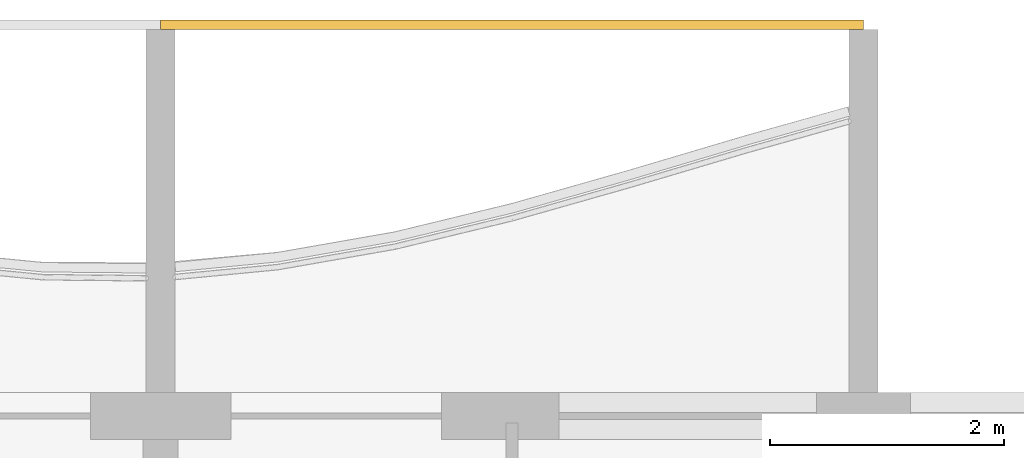
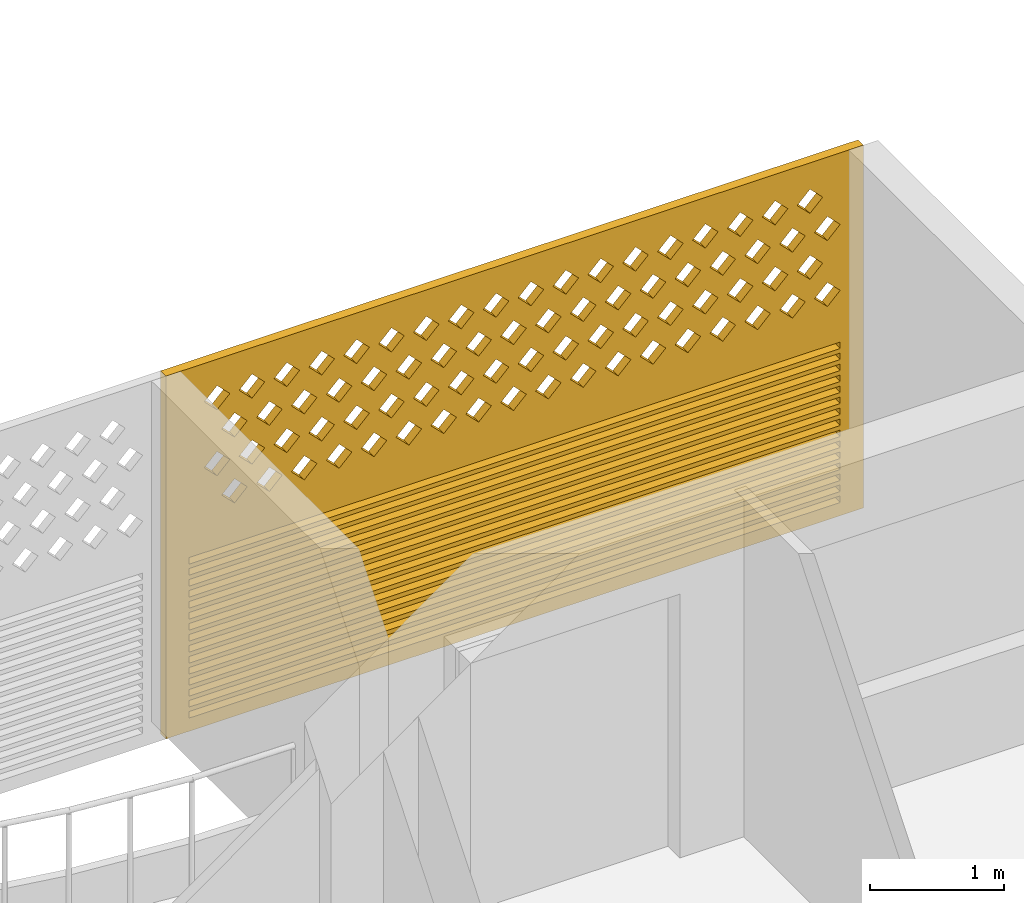
# One storey, part 30 of 32: 1 covering.
"""IFC4 building model written with IfcOpenShell, lengths in metres."""

from ifc_helpers import new_model, si_unit, direction, frame, origin, place, context, subcontext, project, spatial, polyline, outline, extrude, source, transform, mapped, material, material_profile, profile_set, type_object, element, save


model = new_model("IFC4")

# Units and contexts
model_context = context("Model", 3, precision=1e-05, world=origin(), true_north=direction((0.0, 1.0)))
body_context = subcontext(model_context, "Body", "Model", "MODEL_VIEW")
ifc_project = project(units=[si_unit("LENGTHUNIT", "METRE"), si_unit("AREAUNIT", "SQUARE_METRE"), si_unit("VOLUMEUNIT", "CUBIC_METRE"), si_unit("PLANEANGLEUNIT", "RADIAN"), si_unit("MASSUNIT", "GRAM", prefix="KILO")], contexts=[model_context])

# Site, building, storey
site_placement = place(None, origin())
site = spatial("IfcSite", under=ifc_project, at=site_placement, CompositionType="ELEMENT")
building_placement = place(site_placement, origin())
building = spatial("IfcBuilding", under=site, at=building_placement, Name="Poui Terraces", CompositionType="ELEMENT")
storey_placement = place(building_placement, frame((0.0, 0.0, 129.0)))
storey = spatial("IfcBuildingStorey", under=building, at=storey_placement, Name="L35", CompositionType="ELEMENT", Elevation=129.0)

# Covering
ifc_material = material(Name="Terracotta screen", Category="masonry")
ifc_material_profile = material_profile(ifc_material, outline(polyline([(-3.0, -1.64990234375), (3.0, -1.64990234375), (3.0, 1.64990234375), (-3.0, 1.64990234375), (-3.0, -1.64990234375)]), holes=[polyline([(-2.800048828125, 0.39990234375), (-2.68994140625, 0.2900390625), (-2.580078125, 0.39990234375), (-2.68994140625, 0.510009765625), (-2.800048828125, 0.39990234375)]), polyline([(-2.5, 0.39990234375), (-2.389892578125, 0.2900390625), (-2.280029296875, 0.39990234375), (-2.389892578125, 0.510009765625), (-2.5, 0.39990234375)]), polyline([(-2.199951171875, 0.39990234375), (-2.090087890625, 0.2900390625), (-1.97998046875, 0.39990234375), (-2.090087890625, 0.510009765625), (-2.199951171875, 0.39990234375)]), polyline([(-1.89990234375, 0.39990234375), (-1.7900390625, 0.2900390625), (-1.679931640625, 0.39990234375), (-1.7900390625, 0.510009765625), (-1.89990234375, 0.39990234375)]), polyline([(-1.60009765625, 0.39990234375), (-1.489990234375, 0.2900390625), (-1.3798828125, 0.39990234375), (-1.489990234375, 0.510009765625), (-1.60009765625, 0.39990234375)]), polyline([(-1.300048828125, 0.39990234375), (-1.18994140625, 0.2900390625), (-1.080078125, 0.39990234375), (-1.18994140625, 0.510009765625), (-1.300048828125, 0.39990234375)]), polyline([(-1.0, 0.39990234375), (-0.889892578125, 0.2900390625), (-0.780029296875, 0.39990234375), (-0.889892578125, 0.510009765625), (-1.0, 0.39990234375)]), polyline([(-0.699951171875, 0.39990234375), (-0.590087890625, 0.2900390625), (-0.47998046875, 0.39990234375), (-0.590087890625, 0.510009765625), (-0.699951171875, 0.39990234375)]), polyline([(-0.39990234375, 0.39990234375), (-0.2900390625, 0.2900390625), (-0.179931640625, 0.39990234375), (-0.2900390625, 0.510009765625), (-0.39990234375, 0.39990234375)]), polyline([(-0.10009765625, 0.39990234375), (0.010009765625, 0.2900390625), (0.1201171875, 0.39990234375), (0.010009765625, 0.510009765625), (-0.10009765625, 0.39990234375)]), polyline([(0.199951171875, 0.39990234375), (0.31005859375, 0.2900390625), (0.419921875, 0.39990234375), (0.31005859375, 0.510009765625), (0.199951171875, 0.39990234375)]), polyline([(0.5, 0.39990234375), (0.610107421875, 0.2900390625), (0.719970703125, 0.39990234375), (0.610107421875, 0.510009765625), (0.5, 0.39990234375)]), polyline([(0.800048828125, 0.39990234375), (0.909912109375, 0.2900390625), (1.02001953125, 0.39990234375), (0.909912109375, 0.510009765625), (0.800048828125, 0.39990234375)]), polyline([(1.10009765625, 0.39990234375), (1.2099609375, 0.2900390625), (1.320068359375, 0.39990234375), (1.2099609375, 0.510009765625), (1.10009765625, 0.39990234375)]), polyline([(1.39990234375, 0.39990234375), (1.510009765625, 0.2900390625), (1.6201171875, 0.39990234375), (1.510009765625, 0.510009765625), (1.39990234375, 0.39990234375)]), polyline([(1.699951171875, 0.39990234375), (1.81005859375, 0.2900390625), (1.919921875, 0.39990234375), (1.81005859375, 0.510009765625), (1.699951171875, 0.39990234375)]), polyline([(2.0, 0.39990234375), (2.110107421875, 0.2900390625), (2.219970703125, 0.39990234375), (2.110107421875, 0.510009765625), (2.0, 0.39990234375)]), polyline([(2.300048828125, 0.39990234375), (2.409912109375, 0.2900390625), (2.52001953125, 0.39990234375), (2.409912109375, 0.510009765625), (2.300048828125, 0.39990234375)]), polyline([(-2.64990234375, 0.699951171875), (-2.5400390625, 0.590087890625), (-2.429931640625, 0.699951171875), (-2.5400390625, 0.81005859375), (-2.64990234375, 0.699951171875)]), polyline([(-2.35009765625, 0.699951171875), (-2.239990234375, 0.590087890625), (-2.1298828125, 0.699951171875), (-2.239990234375, 0.81005859375), (-2.35009765625, 0.699951171875)]), polyline([(-2.050048828125, 0.699951171875), (-1.93994140625, 0.590087890625), (-1.830078125, 0.699951171875), (-1.93994140625, 0.81005859375), (-2.050048828125, 0.699951171875)]), polyline([(-1.75, 0.699951171875), (-1.639892578125, 0.590087890625), (-1.530029296875, 0.699951171875), (-1.639892578125, 0.81005859375), (-1.75, 0.699951171875)]), polyline([(-1.449951171875, 0.699951171875), (-1.340087890625, 0.590087890625), (-1.22998046875, 0.699951171875), (-1.340087890625, 0.81005859375), (-1.449951171875, 0.699951171875)]), polyline([(-1.14990234375, 0.699951171875), (-1.0400390625, 0.590087890625), (-0.929931640625, 0.699951171875), (-1.0400390625, 0.81005859375), (-1.14990234375, 0.699951171875)]), polyline([(-0.85009765625, 0.699951171875), (-0.739990234375, 0.590087890625), (-0.6298828125, 0.699951171875), (-0.739990234375, 0.81005859375), (-0.85009765625, 0.699951171875)]), polyline([(-0.550048828125, 0.699951171875), (-0.43994140625, 0.590087890625), (-0.330078125, 0.699951171875), (-0.43994140625, 0.81005859375), (-0.550048828125, 0.699951171875)]), polyline([(-0.25, 0.699951171875), (-0.139892578125, 0.590087890625), (-0.030029296875, 0.699951171875), (-0.139892578125, 0.81005859375), (-0.25, 0.699951171875)]), polyline([(0.050048828125, 0.699951171875), (0.159912109375, 0.590087890625), (0.27001953125, 0.699951171875), (0.159912109375, 0.81005859375), (0.050048828125, 0.699951171875)]), polyline([(0.35009765625, 0.699951171875), (0.4599609375, 0.590087890625), (0.570068359375, 0.699951171875), (0.4599609375, 0.81005859375), (0.35009765625, 0.699951171875)]), polyline([(0.64990234375, 0.699951171875), (0.760009765625, 0.590087890625), (0.8701171875, 0.699951171875), (0.760009765625, 0.81005859375), (0.64990234375, 0.699951171875)]), polyline([(0.949951171875, 0.699951171875), (1.06005859375, 0.590087890625), (1.169921875, 0.699951171875), (1.06005859375, 0.81005859375), (0.949951171875, 0.699951171875)]), polyline([(1.25, 0.699951171875), (1.360107421875, 0.590087890625), (1.469970703125, 0.699951171875), (1.360107421875, 0.81005859375), (1.25, 0.699951171875)]), polyline([(1.550048828125, 0.699951171875), (1.659912109375, 0.590087890625), (1.77001953125, 0.699951171875), (1.659912109375, 0.81005859375), (1.550048828125, 0.699951171875)]), polyline([(1.85009765625, 0.699951171875), (1.9599609375, 0.590087890625), (2.070068359375, 0.699951171875), (1.9599609375, 0.81005859375), (1.85009765625, 0.699951171875)]), polyline([(2.14990234375, 0.699951171875), (2.260009765625, 0.590087890625), (2.3701171875, 0.699951171875), (2.260009765625, 0.81005859375), (2.14990234375, 0.699951171875)]), polyline([(2.449951171875, 0.699951171875), (2.56005859375, 0.590087890625), (2.669921875, 0.699951171875), (2.56005859375, 0.81005859375), (2.449951171875, 0.699951171875)]), polyline([(-2.800048828125, 1.0), (-2.68994140625, 0.889892578125), (-2.580078125, 1.0), (-2.68994140625, 1.110107421875), (-2.800048828125, 1.0)]), polyline([(-2.5, 1.0), (-2.389892578125, 0.889892578125), (-2.280029296875, 1.0), (-2.389892578125, 1.110107421875), (-2.5, 1.0)]), polyline([(-2.199951171875, 1.0), (-2.090087890625, 0.889892578125), (-1.97998046875, 1.0), (-2.090087890625, 1.110107421875), (-2.199951171875, 1.0)]), polyline([(-1.89990234375, 1.0), (-1.7900390625, 0.889892578125), (-1.679931640625, 1.0), (-1.7900390625, 1.110107421875), (-1.89990234375, 1.0)]), polyline([(-1.60009765625, 1.0), (-1.489990234375, 0.889892578125), (-1.3798828125, 1.0), (-1.489990234375, 1.110107421875), (-1.60009765625, 1.0)]), polyline([(-1.300048828125, 1.0), (-1.18994140625, 0.889892578125), (-1.080078125, 1.0), (-1.18994140625, 1.110107421875), (-1.300048828125, 1.0)]), polyline([(-1.0, 1.0), (-0.889892578125, 0.889892578125), (-0.780029296875, 1.0), (-0.889892578125, 1.110107421875), (-1.0, 1.0)]), polyline([(-0.699951171875, 1.0), (-0.590087890625, 0.889892578125), (-0.47998046875, 1.0), (-0.590087890625, 1.110107421875), (-0.699951171875, 1.0)]), polyline([(-0.39990234375, 1.0), (-0.2900390625, 0.889892578125), (-0.179931640625, 1.0), (-0.2900390625, 1.110107421875), (-0.39990234375, 1.0)]), polyline([(-0.10009765625, 1.0), (0.010009765625, 0.889892578125), (0.1201171875, 1.0), (0.010009765625, 1.110107421875), (-0.10009765625, 1.0)]), polyline([(0.199951171875, 1.0), (0.31005859375, 0.889892578125), (0.419921875, 1.0), (0.31005859375, 1.110107421875), (0.199951171875, 1.0)]), polyline([(0.5, 1.0), (0.610107421875, 0.889892578125), (0.719970703125, 1.0), (0.610107421875, 1.110107421875), (0.5, 1.0)]), polyline([(0.800048828125, 1.0), (0.909912109375, 0.889892578125), (1.02001953125, 1.0), (0.909912109375, 1.110107421875), (0.800048828125, 1.0)]), polyline([(1.10009765625, 1.0), (1.2099609375, 0.889892578125), (1.320068359375, 1.0), (1.2099609375, 1.110107421875), (1.10009765625, 1.0)]), polyline([(1.39990234375, 1.0), (1.510009765625, 0.889892578125), (1.6201171875, 1.0), (1.510009765625, 1.110107421875), (1.39990234375, 1.0)]), polyline([(1.699951171875, 1.0), (1.81005859375, 0.889892578125), (1.919921875, 1.0), (1.81005859375, 1.110107421875), (1.699951171875, 1.0)]), polyline([(2.0, 1.0), (2.110107421875, 0.889892578125), (2.219970703125, 1.0), (2.110107421875, 1.110107421875), (2.0, 1.0)]), polyline([(2.300048828125, 1.0), (2.409912109375, 0.889892578125), (2.52001953125, 1.0), (2.409912109375, 1.110107421875), (2.300048828125, 1.0)]), polyline([(-2.64990234375, 1.300048828125), (-2.5400390625, 1.18994140625), (-2.429931640625, 1.300048828125), (-2.5400390625, 1.409912109375), (-2.64990234375, 1.300048828125)]), polyline([(-2.35009765625, 1.300048828125), (-2.239990234375, 1.18994140625), (-2.1298828125, 1.300048828125), (-2.239990234375, 1.409912109375), (-2.35009765625, 1.300048828125)]), polyline([(-2.050048828125, 1.300048828125), (-1.93994140625, 1.18994140625), (-1.830078125, 1.300048828125), (-1.93994140625, 1.409912109375), (-2.050048828125, 1.300048828125)]), polyline([(-1.75, 1.300048828125), (-1.639892578125, 1.18994140625), (-1.530029296875, 1.300048828125), (-1.639892578125, 1.409912109375), (-1.75, 1.300048828125)]), polyline([(-1.449951171875, 1.300048828125), (-1.340087890625, 1.18994140625), (-1.22998046875, 1.300048828125), (-1.340087890625, 1.409912109375), (-1.449951171875, 1.300048828125)]), polyline([(-1.14990234375, 1.300048828125), (-1.0400390625, 1.18994140625), (-0.929931640625, 1.300048828125), (-1.0400390625, 1.409912109375), (-1.14990234375, 1.300048828125)]), polyline([(-0.85009765625, 1.300048828125), (-0.739990234375, 1.18994140625), (-0.6298828125, 1.300048828125), (-0.739990234375, 1.409912109375), (-0.85009765625, 1.300048828125)]), polyline([(-0.550048828125, 1.300048828125), (-0.43994140625, 1.18994140625), (-0.330078125, 1.300048828125), (-0.43994140625, 1.409912109375), (-0.550048828125, 1.300048828125)]), polyline([(-0.25, 1.300048828125), (-0.139892578125, 1.18994140625), (-0.030029296875, 1.300048828125), (-0.139892578125, 1.409912109375), (-0.25, 1.300048828125)]), polyline([(0.050048828125, 1.300048828125), (0.159912109375, 1.18994140625), (0.27001953125, 1.300048828125), (0.159912109375, 1.409912109375), (0.050048828125, 1.300048828125)]), polyline([(0.35009765625, 1.300048828125), (0.4599609375, 1.18994140625), (0.570068359375, 1.300048828125), (0.4599609375, 1.409912109375), (0.35009765625, 1.300048828125)]), polyline([(0.64990234375, 1.300048828125), (0.760009765625, 1.18994140625), (0.8701171875, 1.300048828125), (0.760009765625, 1.409912109375), (0.64990234375, 1.300048828125)]), polyline([(0.949951171875, 1.300048828125), (1.06005859375, 1.18994140625), (1.169921875, 1.300048828125), (1.06005859375, 1.409912109375), (0.949951171875, 1.300048828125)]), polyline([(1.25, 1.300048828125), (1.360107421875, 1.18994140625), (1.469970703125, 1.300048828125), (1.360107421875, 1.409912109375), (1.25, 1.300048828125)]), polyline([(1.550048828125, 1.300048828125), (1.659912109375, 1.18994140625), (1.77001953125, 1.300048828125), (1.659912109375, 1.409912109375), (1.550048828125, 1.300048828125)]), polyline([(1.85009765625, 1.300048828125), (1.9599609375, 1.18994140625), (2.070068359375, 1.300048828125), (1.9599609375, 1.409912109375), (1.85009765625, 1.300048828125)]), polyline([(2.14990234375, 1.300048828125), (2.260009765625, 1.18994140625), (2.3701171875, 1.300048828125), (2.260009765625, 1.409912109375), (2.14990234375, 1.300048828125)]), polyline([(2.449951171875, 1.300048828125), (2.56005859375, 1.18994140625), (2.669921875, 1.300048828125), (2.56005859375, 1.409912109375), (2.449951171875, 1.300048828125)]), polyline([(-2.800048828125, -1.530029296875), (2.800048828125, -1.530029296875), (2.800048828125, -1.469970703125), (-2.800048828125, -1.469970703125), (-2.800048828125, -1.530029296875)]), polyline([(-2.800048828125, -1.429931640625), (2.800048828125, -1.429931640625), (2.800048828125, -1.3701171875), (-2.800048828125, -1.3701171875), (-2.800048828125, -1.429931640625)]), polyline([(-2.800048828125, -1.330078125), (2.800048828125, -1.330078125), (2.800048828125, -1.27001953125), (-2.800048828125, -1.27001953125), (-2.800048828125, -1.330078125)]), polyline([(-2.800048828125, -1.22998046875), (2.800048828125, -1.22998046875), (2.800048828125, -1.169921875), (-2.800048828125, -1.169921875), (-2.800048828125, -1.22998046875)]), polyline([(-2.800048828125, -1.1298828125), (2.800048828125, -1.1298828125), (2.800048828125, -1.070068359375), (-2.800048828125, -1.070068359375), (-2.800048828125, -1.1298828125)]), polyline([(-2.800048828125, -1.030029296875), (2.800048828125, -1.030029296875), (2.800048828125, -0.969970703125), (-2.800048828125, -0.969970703125), (-2.800048828125, -1.030029296875)]), polyline([(-2.800048828125, -0.929931640625), (2.800048828125, -0.929931640625), (2.800048828125, -0.8701171875), (-2.800048828125, -0.8701171875), (-2.800048828125, -0.929931640625)]), polyline([(-2.800048828125, -0.830078125), (2.800048828125, -0.830078125), (2.800048828125, -0.77001953125), (-2.800048828125, -0.77001953125), (-2.800048828125, -0.830078125)]), polyline([(-2.800048828125, -0.72998046875), (2.800048828125, -0.72998046875), (2.800048828125, -0.669921875), (-2.800048828125, -0.669921875), (-2.800048828125, -0.72998046875)]), polyline([(-2.800048828125, -0.6298828125), (2.800048828125, -0.6298828125), (2.800048828125, -0.570068359375), (-2.800048828125, -0.570068359375), (-2.800048828125, -0.6298828125)]), polyline([(-2.800048828125, -0.530029296875), (2.800048828125, -0.530029296875), (2.800048828125, -0.469970703125), (-2.800048828125, -0.469970703125), (-2.800048828125, -0.530029296875)]), polyline([(-2.800048828125, -0.429931640625), (2.800048828125, -0.429931640625), (2.800048828125, -0.3701171875), (-2.800048828125, -0.3701171875), (-2.800048828125, -0.429931640625)]), polyline([(-2.800048828125, -0.330078125), (2.800048828125, -0.330078125), (2.800048828125, -0.27001953125), (-2.800048828125, -0.27001953125), (-2.800048828125, -0.330078125)]), polyline([(-2.800048828125, -0.22998046875), (2.800048828125, -0.22998046875), (2.800048828125, -0.169921875), (-2.800048828125, -0.169921875), (-2.800048828125, -0.22998046875)]), polyline([(-2.800048828125, -0.1298828125), (2.800048828125, -0.1298828125), (2.800048828125, -0.070068359375), (-2.800048828125, -0.070068359375), (-2.800048828125, -0.1298828125)])]), Name="TERRACOTTA SCREEN AND JALOUSIE LOUVRE 6000X3300")
ifc_profile_set = profile_set([ifc_material_profile], Name="Terracotta screen")
covering_type = type_object("IfcCoveringType", Name="TERRACOTTA SCREEN AND JALOUSIE LOUVRE 6000X3300", PredefinedType="CLADDING", material=ifc_profile_set)
shared_shape = source(origin(), body_context, "Body", "SweptSolid", [
    extrude(outline(polyline([(-3.0, -1.64990234375), (3.0, -1.64990234375), (3.0, 1.64990234375), (-3.0, 1.64990234375), (-3.0, -1.64990234375)]), holes=[polyline([(-2.800048828125, 0.39990234375), (-2.68994140625, 0.2900390625), (-2.580078125, 0.39990234375), (-2.68994140625, 0.510009765625), (-2.800048828125, 0.39990234375)]), polyline([(-2.5, 0.39990234375), (-2.389892578125, 0.2900390625), (-2.280029296875, 0.39990234375), (-2.389892578125, 0.510009765625), (-2.5, 0.39990234375)]), polyline([(-2.199951171875, 0.39990234375), (-2.090087890625, 0.2900390625), (-1.97998046875, 0.39990234375), (-2.090087890625, 0.510009765625), (-2.199951171875, 0.39990234375)]), polyline([(-1.89990234375, 0.39990234375), (-1.7900390625, 0.2900390625), (-1.679931640625, 0.39990234375), (-1.7900390625, 0.510009765625), (-1.89990234375, 0.39990234375)]), polyline([(-1.60009765625, 0.39990234375), (-1.489990234375, 0.2900390625), (-1.3798828125, 0.39990234375), (-1.489990234375, 0.510009765625), (-1.60009765625, 0.39990234375)]), polyline([(-1.300048828125, 0.39990234375), (-1.18994140625, 0.2900390625), (-1.080078125, 0.39990234375), (-1.18994140625, 0.510009765625), (-1.300048828125, 0.39990234375)]), polyline([(-1.0, 0.39990234375), (-0.889892578125, 0.2900390625), (-0.780029296875, 0.39990234375), (-0.889892578125, 0.510009765625), (-1.0, 0.39990234375)]), polyline([(-0.699951171875, 0.39990234375), (-0.590087890625, 0.2900390625), (-0.47998046875, 0.39990234375), (-0.590087890625, 0.510009765625), (-0.699951171875, 0.39990234375)]), polyline([(-0.39990234375, 0.39990234375), (-0.2900390625, 0.2900390625), (-0.179931640625, 0.39990234375), (-0.2900390625, 0.510009765625), (-0.39990234375, 0.39990234375)]), polyline([(-0.10009765625, 0.39990234375), (0.010009765625, 0.2900390625), (0.1201171875, 0.39990234375), (0.010009765625, 0.510009765625), (-0.10009765625, 0.39990234375)]), polyline([(0.199951171875, 0.39990234375), (0.31005859375, 0.2900390625), (0.419921875, 0.39990234375), (0.31005859375, 0.510009765625), (0.199951171875, 0.39990234375)]), polyline([(0.5, 0.39990234375), (0.610107421875, 0.2900390625), (0.719970703125, 0.39990234375), (0.610107421875, 0.510009765625), (0.5, 0.39990234375)]), polyline([(0.800048828125, 0.39990234375), (0.909912109375, 0.2900390625), (1.02001953125, 0.39990234375), (0.909912109375, 0.510009765625), (0.800048828125, 0.39990234375)]), polyline([(1.10009765625, 0.39990234375), (1.2099609375, 0.2900390625), (1.320068359375, 0.39990234375), (1.2099609375, 0.510009765625), (1.10009765625, 0.39990234375)]), polyline([(1.39990234375, 0.39990234375), (1.510009765625, 0.2900390625), (1.6201171875, 0.39990234375), (1.510009765625, 0.510009765625), (1.39990234375, 0.39990234375)]), polyline([(1.699951171875, 0.39990234375), (1.81005859375, 0.2900390625), (1.919921875, 0.39990234375), (1.81005859375, 0.510009765625), (1.699951171875, 0.39990234375)]), polyline([(2.0, 0.39990234375), (2.110107421875, 0.2900390625), (2.219970703125, 0.39990234375), (2.110107421875, 0.510009765625), (2.0, 0.39990234375)]), polyline([(2.300048828125, 0.39990234375), (2.409912109375, 0.2900390625), (2.52001953125, 0.39990234375), (2.409912109375, 0.510009765625), (2.300048828125, 0.39990234375)]), polyline([(-2.64990234375, 0.699951171875), (-2.5400390625, 0.590087890625), (-2.429931640625, 0.699951171875), (-2.5400390625, 0.81005859375), (-2.64990234375, 0.699951171875)]), polyline([(-2.35009765625, 0.699951171875), (-2.239990234375, 0.590087890625), (-2.1298828125, 0.699951171875), (-2.239990234375, 0.81005859375), (-2.35009765625, 0.699951171875)]), polyline([(-2.050048828125, 0.699951171875), (-1.93994140625, 0.590087890625), (-1.830078125, 0.699951171875), (-1.93994140625, 0.81005859375), (-2.050048828125, 0.699951171875)]), polyline([(-1.75, 0.699951171875), (-1.639892578125, 0.590087890625), (-1.530029296875, 0.699951171875), (-1.639892578125, 0.81005859375), (-1.75, 0.699951171875)]), polyline([(-1.449951171875, 0.699951171875), (-1.340087890625, 0.590087890625), (-1.22998046875, 0.699951171875), (-1.340087890625, 0.81005859375), (-1.449951171875, 0.699951171875)]), polyline([(-1.14990234375, 0.699951171875), (-1.0400390625, 0.590087890625), (-0.929931640625, 0.699951171875), (-1.0400390625, 0.81005859375), (-1.14990234375, 0.699951171875)]), polyline([(-0.85009765625, 0.699951171875), (-0.739990234375, 0.590087890625), (-0.6298828125, 0.699951171875), (-0.739990234375, 0.81005859375), (-0.85009765625, 0.699951171875)]), polyline([(-0.550048828125, 0.699951171875), (-0.43994140625, 0.590087890625), (-0.330078125, 0.699951171875), (-0.43994140625, 0.81005859375), (-0.550048828125, 0.699951171875)]), polyline([(-0.25, 0.699951171875), (-0.139892578125, 0.590087890625), (-0.030029296875, 0.699951171875), (-0.139892578125, 0.81005859375), (-0.25, 0.699951171875)]), polyline([(0.050048828125, 0.699951171875), (0.159912109375, 0.590087890625), (0.27001953125, 0.699951171875), (0.159912109375, 0.81005859375), (0.050048828125, 0.699951171875)]), polyline([(0.35009765625, 0.699951171875), (0.4599609375, 0.590087890625), (0.570068359375, 0.699951171875), (0.4599609375, 0.81005859375), (0.35009765625, 0.699951171875)]), polyline([(0.64990234375, 0.699951171875), (0.760009765625, 0.590087890625), (0.8701171875, 0.699951171875), (0.760009765625, 0.81005859375), (0.64990234375, 0.699951171875)]), polyline([(0.949951171875, 0.699951171875), (1.06005859375, 0.590087890625), (1.169921875, 0.699951171875), (1.06005859375, 0.81005859375), (0.949951171875, 0.699951171875)]), polyline([(1.25, 0.699951171875), (1.360107421875, 0.590087890625), (1.469970703125, 0.699951171875), (1.360107421875, 0.81005859375), (1.25, 0.699951171875)]), polyline([(1.550048828125, 0.699951171875), (1.659912109375, 0.590087890625), (1.77001953125, 0.699951171875), (1.659912109375, 0.81005859375), (1.550048828125, 0.699951171875)]), polyline([(1.85009765625, 0.699951171875), (1.9599609375, 0.590087890625), (2.070068359375, 0.699951171875), (1.9599609375, 0.81005859375), (1.85009765625, 0.699951171875)]), polyline([(2.14990234375, 0.699951171875), (2.260009765625, 0.590087890625), (2.3701171875, 0.699951171875), (2.260009765625, 0.81005859375), (2.14990234375, 0.699951171875)]), polyline([(2.449951171875, 0.699951171875), (2.56005859375, 0.590087890625), (2.669921875, 0.699951171875), (2.56005859375, 0.81005859375), (2.449951171875, 0.699951171875)]), polyline([(-2.800048828125, 1.0), (-2.68994140625, 0.889892578125), (-2.580078125, 1.0), (-2.68994140625, 1.110107421875), (-2.800048828125, 1.0)]), polyline([(-2.5, 1.0), (-2.389892578125, 0.889892578125), (-2.280029296875, 1.0), (-2.389892578125, 1.110107421875), (-2.5, 1.0)]), polyline([(-2.199951171875, 1.0), (-2.090087890625, 0.889892578125), (-1.97998046875, 1.0), (-2.090087890625, 1.110107421875), (-2.199951171875, 1.0)]), polyline([(-1.89990234375, 1.0), (-1.7900390625, 0.889892578125), (-1.679931640625, 1.0), (-1.7900390625, 1.110107421875), (-1.89990234375, 1.0)]), polyline([(-1.60009765625, 1.0), (-1.489990234375, 0.889892578125), (-1.3798828125, 1.0), (-1.489990234375, 1.110107421875), (-1.60009765625, 1.0)]), polyline([(-1.300048828125, 1.0), (-1.18994140625, 0.889892578125), (-1.080078125, 1.0), (-1.18994140625, 1.110107421875), (-1.300048828125, 1.0)]), polyline([(-1.0, 1.0), (-0.889892578125, 0.889892578125), (-0.780029296875, 1.0), (-0.889892578125, 1.110107421875), (-1.0, 1.0)]), polyline([(-0.699951171875, 1.0), (-0.590087890625, 0.889892578125), (-0.47998046875, 1.0), (-0.590087890625, 1.110107421875), (-0.699951171875, 1.0)]), polyline([(-0.39990234375, 1.0), (-0.2900390625, 0.889892578125), (-0.179931640625, 1.0), (-0.2900390625, 1.110107421875), (-0.39990234375, 1.0)]), polyline([(-0.10009765625, 1.0), (0.010009765625, 0.889892578125), (0.1201171875, 1.0), (0.010009765625, 1.110107421875), (-0.10009765625, 1.0)]), polyline([(0.199951171875, 1.0), (0.31005859375, 0.889892578125), (0.419921875, 1.0), (0.31005859375, 1.110107421875), (0.199951171875, 1.0)]), polyline([(0.5, 1.0), (0.610107421875, 0.889892578125), (0.719970703125, 1.0), (0.610107421875, 1.110107421875), (0.5, 1.0)]), polyline([(0.800048828125, 1.0), (0.909912109375, 0.889892578125), (1.02001953125, 1.0), (0.909912109375, 1.110107421875), (0.800048828125, 1.0)]), polyline([(1.10009765625, 1.0), (1.2099609375, 0.889892578125), (1.320068359375, 1.0), (1.2099609375, 1.110107421875), (1.10009765625, 1.0)]), polyline([(1.39990234375, 1.0), (1.510009765625, 0.889892578125), (1.6201171875, 1.0), (1.510009765625, 1.110107421875), (1.39990234375, 1.0)]), polyline([(1.699951171875, 1.0), (1.81005859375, 0.889892578125), (1.919921875, 1.0), (1.81005859375, 1.110107421875), (1.699951171875, 1.0)]), polyline([(2.0, 1.0), (2.110107421875, 0.889892578125), (2.219970703125, 1.0), (2.110107421875, 1.110107421875), (2.0, 1.0)]), polyline([(2.300048828125, 1.0), (2.409912109375, 0.889892578125), (2.52001953125, 1.0), (2.409912109375, 1.110107421875), (2.300048828125, 1.0)]), polyline([(-2.64990234375, 1.300048828125), (-2.5400390625, 1.18994140625), (-2.429931640625, 1.300048828125), (-2.5400390625, 1.409912109375), (-2.64990234375, 1.300048828125)]), polyline([(-2.35009765625, 1.300048828125), (-2.239990234375, 1.18994140625), (-2.1298828125, 1.300048828125), (-2.239990234375, 1.409912109375), (-2.35009765625, 1.300048828125)]), polyline([(-2.050048828125, 1.300048828125), (-1.93994140625, 1.18994140625), (-1.830078125, 1.300048828125), (-1.93994140625, 1.409912109375), (-2.050048828125, 1.300048828125)]), polyline([(-1.75, 1.300048828125), (-1.639892578125, 1.18994140625), (-1.530029296875, 1.300048828125), (-1.639892578125, 1.409912109375), (-1.75, 1.300048828125)]), polyline([(-1.449951171875, 1.300048828125), (-1.340087890625, 1.18994140625), (-1.22998046875, 1.300048828125), (-1.340087890625, 1.409912109375), (-1.449951171875, 1.300048828125)]), polyline([(-1.14990234375, 1.300048828125), (-1.0400390625, 1.18994140625), (-0.929931640625, 1.300048828125), (-1.0400390625, 1.409912109375), (-1.14990234375, 1.300048828125)]), polyline([(-0.85009765625, 1.300048828125), (-0.739990234375, 1.18994140625), (-0.6298828125, 1.300048828125), (-0.739990234375, 1.409912109375), (-0.85009765625, 1.300048828125)]), polyline([(-0.550048828125, 1.300048828125), (-0.43994140625, 1.18994140625), (-0.330078125, 1.300048828125), (-0.43994140625, 1.409912109375), (-0.550048828125, 1.300048828125)]), polyline([(-0.25, 1.300048828125), (-0.139892578125, 1.18994140625), (-0.030029296875, 1.300048828125), (-0.139892578125, 1.409912109375), (-0.25, 1.300048828125)]), polyline([(0.050048828125, 1.300048828125), (0.159912109375, 1.18994140625), (0.27001953125, 1.300048828125), (0.159912109375, 1.409912109375), (0.050048828125, 1.300048828125)]), polyline([(0.35009765625, 1.300048828125), (0.4599609375, 1.18994140625), (0.570068359375, 1.300048828125), (0.4599609375, 1.409912109375), (0.35009765625, 1.300048828125)]), polyline([(0.64990234375, 1.300048828125), (0.760009765625, 1.18994140625), (0.8701171875, 1.300048828125), (0.760009765625, 1.409912109375), (0.64990234375, 1.300048828125)]), polyline([(0.949951171875, 1.300048828125), (1.06005859375, 1.18994140625), (1.169921875, 1.300048828125), (1.06005859375, 1.409912109375), (0.949951171875, 1.300048828125)]), polyline([(1.25, 1.300048828125), (1.360107421875, 1.18994140625), (1.469970703125, 1.300048828125), (1.360107421875, 1.409912109375), (1.25, 1.300048828125)]), polyline([(1.550048828125, 1.300048828125), (1.659912109375, 1.18994140625), (1.77001953125, 1.300048828125), (1.659912109375, 1.409912109375), (1.550048828125, 1.300048828125)]), polyline([(1.85009765625, 1.300048828125), (1.9599609375, 1.18994140625), (2.070068359375, 1.300048828125), (1.9599609375, 1.409912109375), (1.85009765625, 1.300048828125)]), polyline([(2.14990234375, 1.300048828125), (2.260009765625, 1.18994140625), (2.3701171875, 1.300048828125), (2.260009765625, 1.409912109375), (2.14990234375, 1.300048828125)]), polyline([(2.449951171875, 1.300048828125), (2.56005859375, 1.18994140625), (2.669921875, 1.300048828125), (2.56005859375, 1.409912109375), (2.449951171875, 1.300048828125)]), polyline([(-2.800048828125, -1.530029296875), (2.800048828125, -1.530029296875), (2.800048828125, -1.469970703125), (-2.800048828125, -1.469970703125), (-2.800048828125, -1.530029296875)]), polyline([(-2.800048828125, -1.429931640625), (2.800048828125, -1.429931640625), (2.800048828125, -1.3701171875), (-2.800048828125, -1.3701171875), (-2.800048828125, -1.429931640625)]), polyline([(-2.800048828125, -1.330078125), (2.800048828125, -1.330078125), (2.800048828125, -1.27001953125), (-2.800048828125, -1.27001953125), (-2.800048828125, -1.330078125)]), polyline([(-2.800048828125, -1.22998046875), (2.800048828125, -1.22998046875), (2.800048828125, -1.169921875), (-2.800048828125, -1.169921875), (-2.800048828125, -1.22998046875)]), polyline([(-2.800048828125, -1.1298828125), (2.800048828125, -1.1298828125), (2.800048828125, -1.070068359375), (-2.800048828125, -1.070068359375), (-2.800048828125, -1.1298828125)]), polyline([(-2.800048828125, -1.030029296875), (2.800048828125, -1.030029296875), (2.800048828125, -0.969970703125), (-2.800048828125, -0.969970703125), (-2.800048828125, -1.030029296875)]), polyline([(-2.800048828125, -0.929931640625), (2.800048828125, -0.929931640625), (2.800048828125, -0.8701171875), (-2.800048828125, -0.8701171875), (-2.800048828125, -0.929931640625)]), polyline([(-2.800048828125, -0.830078125), (2.800048828125, -0.830078125), (2.800048828125, -0.77001953125), (-2.800048828125, -0.77001953125), (-2.800048828125, -0.830078125)]), polyline([(-2.800048828125, -0.72998046875), (2.800048828125, -0.72998046875), (2.800048828125, -0.669921875), (-2.800048828125, -0.669921875), (-2.800048828125, -0.72998046875)]), polyline([(-2.800048828125, -0.6298828125), (2.800048828125, -0.6298828125), (2.800048828125, -0.570068359375), (-2.800048828125, -0.570068359375), (-2.800048828125, -0.6298828125)]), polyline([(-2.800048828125, -0.530029296875), (2.800048828125, -0.530029296875), (2.800048828125, -0.469970703125), (-2.800048828125, -0.469970703125), (-2.800048828125, -0.530029296875)]), polyline([(-2.800048828125, -0.429931640625), (2.800048828125, -0.429931640625), (2.800048828125, -0.3701171875), (-2.800048828125, -0.3701171875), (-2.800048828125, -0.429931640625)]), polyline([(-2.800048828125, -0.330078125), (2.800048828125, -0.330078125), (2.800048828125, -0.27001953125), (-2.800048828125, -0.27001953125), (-2.800048828125, -0.330078125)]), polyline([(-2.800048828125, -0.22998046875), (2.800048828125, -0.22998046875), (2.800048828125, -0.169921875), (-2.800048828125, -0.169921875), (-2.800048828125, -0.22998046875)]), polyline([(-2.800048828125, -0.1298828125), (2.800048828125, -0.1298828125), (2.800048828125, -0.070068359375), (-2.800048828125, -0.070068359375), (-2.800048828125, -0.1298828125)])]), origin(), (0.0, 0.0, 1.0), 0.080078125),
])
covering_placement = place(storey_placement, frame((69.0, 45.699951171875, 1.449951171875), z_axis=(0.0, 1.0, 0.0), x_axis=(-1.0, 0.0, 0.0)))
element("IfcCovering", 1, at=covering_placement, inside=storey, type_object=covering_type, Name="SOLAR SCREEN AND JALOUSIE LOUVRE", PredefinedType="CLADDING", context=body_context, shape_type="MappedRepresentation", body=[
    mapped(shared_shape, transform((0.0, 0.0, 0.0))),
])

save(model, "model.ifc")
